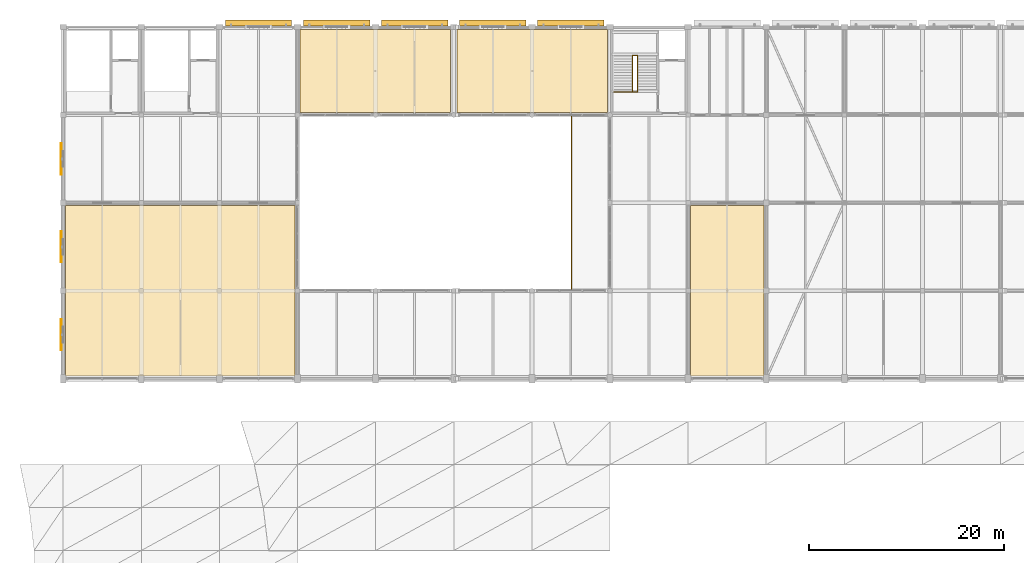
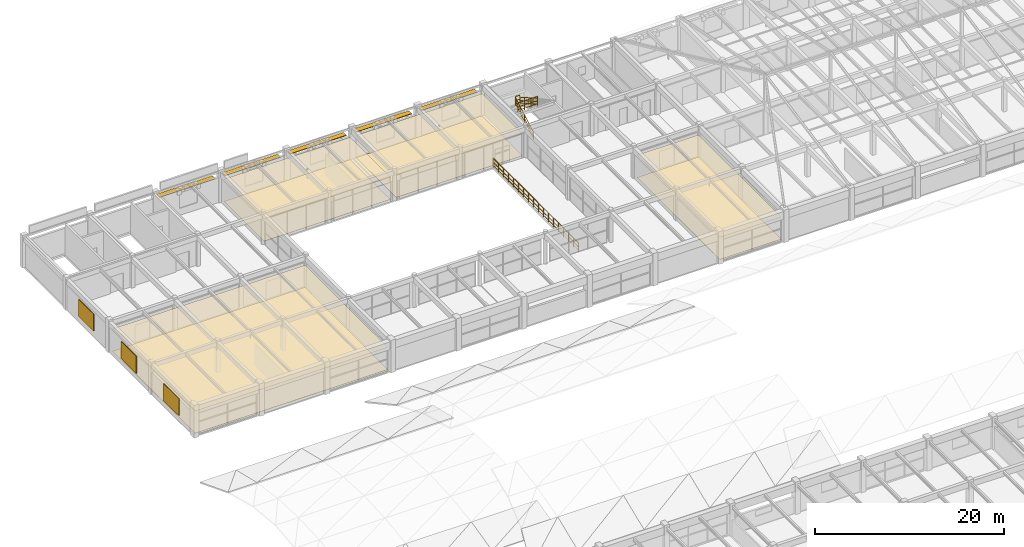
# One storey, part 124 of 126: 8 coverings, 8 shading devices, 5 railings.
"""IFC4 building model written with IfcOpenShell, lengths in metres."""

from ifc_helpers import new_model, si_unit, direction, frame, origin, origin_2d, place, context, subcontext, project, spatial, polyline, rectangle, circle, outline, extrude, material, layer, layer_set, type_object, element, save


model = new_model("IFC4")

# Units and contexts
model_context = context("Model", 3, precision=1e-05, world=origin(), true_north=direction((0.0, 1.0)))
body_context = subcontext(model_context, "Body", "Model", "MODEL_VIEW")
ifc_project = project(units=[si_unit("LENGTHUNIT", "METRE"), si_unit("AREAUNIT", "SQUARE_METRE"), si_unit("VOLUMEUNIT", "CUBIC_METRE"), si_unit("PLANEANGLEUNIT", "RADIAN"), si_unit("MASSUNIT", "GRAM", prefix="KILO")], contexts=[model_context])

# Site, building, storey
site_placement = place(None, origin())
site = spatial("IfcSite", under=ifc_project, at=site_placement, CompositionType="ELEMENT")
building_placement = place(site_placement, origin())
building = spatial("IfcBuilding", under=site, at=building_placement, Name="Varnabhumi Central Station", CompositionType="ELEMENT")
storey_placement = place(building_placement, frame((0.0, 0.0, 16.199951171875)))
storey = spatial("IfcBuildingStorey", under=building, at=storey_placement, Name="L03", CompositionType="ELEMENT", Elevation=16.199951171875)

# Coverings
ifc_material_1 = material(Name="Mineral-fibre acoustic tile")
ifc_layer_1 = layer(ifc_material_1, 0.02490234375, Name="Mineral-fibre acoustic tile")
ifc_layer_set_1 = layer_set([ifc_layer_1], Name="Mineral-fibre acoustic tile")
covering_type_1 = type_object("IfcCoveringType", Name="COV-CEIL-ACOUSTIC", PredefinedType="CEILING", material=ifc_layer_set_1)
covering_1_placement = place(storey_placement, frame((0.0, 0.0, 2.8701171875)))
element("IfcCovering", 1, at=covering_1_placement, inside=storey, type_object=covering_type_1, Name="Bengali and Continental Dining Gallery Acoustic Ceiling", PredefinedType="CEILING", context=body_context, shape_type="SweptSolid", body=[
    extrude(outline(polyline([(24.25, 80.25), (47.75, 80.25), (47.75, 97.75), (24.25, 97.75), (24.25, 80.25)])), origin(), (0.0, 0.0, 1.0), 0.02490234375),
])
covering_2_placement = place(storey_placement, frame((0.0, 0.0, 2.8701171875)))
element("IfcCovering", 2, at=covering_2_placement, inside=storey, type_object=covering_type_1, Name="Civic Railway Heritage and Community Hall Acoustic Ceiling", PredefinedType="CEILING", context=body_context, shape_type="SweptSolid", body=[
    extrude(outline(polyline([(48.25, 107.25), (63.64990234375, 107.25), (63.64990234375, 115.75), (48.25, 115.75), (48.25, 107.25)])), origin(), (0.0, 0.0, 1.0), 0.02490234375),
])
covering_3_placement = place(storey_placement, frame((0.0, 0.0, 2.8701171875)))
element("IfcCovering", 3, at=covering_3_placement, inside=storey, type_object=covering_type_1, Name="Civic Railway Heritage and Community Hall Acoustic Ceiling", PredefinedType="CEILING", context=body_context, shape_type="SweptSolid", body=[
    extrude(outline(polyline([(64.35009765625, 107.25), (79.75, 107.25), (79.75, 115.75), (64.35009765625, 115.75), (64.35009765625, 107.25)])), origin(), (0.0, 0.0, 1.0), 0.02490234375),
])
covering_4_placement = place(storey_placement, frame((0.0, 0.0, 2.8701171875)))
element("IfcCovering", 4, at=covering_4_placement, inside=storey, type_object=covering_type_1, Name="Artisan Exhibition Gallery Acoustic Ceiling", PredefinedType="CEILING", context=body_context, shape_type="SweptSolid", body=[
    extrude(outline(polyline([(88.25, 80.25), (95.75, 80.25), (95.75, 97.75), (88.25, 97.75), (88.25, 80.25)])), origin(), (0.0, 0.0, 1.0), 0.02490234375),
])
ifc_material_2 = material(Name="Vitrified granite stone flooring", Category="masonry")
ifc_layer_2 = layer(ifc_material_2, 0.030029296875, Name="Vitrified granite stone flooring", Category="masonry")
ifc_layer_set_2 = layer_set([ifc_layer_2], Name="Vitrified granite stone flooring")
covering_type_2 = type_object("IfcCoveringType", Name="COV-FLOR-GRANITE", PredefinedType="FLOORING", material=ifc_layer_set_2)
covering_5_placement = place(storey_placement, origin())
element("IfcCovering", 5, at=covering_5_placement, inside=storey, type_object=covering_type_2, Name="Bengali and Continental Dining Gallery Granite Flooring", PredefinedType="FLOORING", context=body_context, shape_type="SweptSolid", body=[
    extrude(outline(polyline([(24.25, 80.25), (47.75, 80.25), (47.75, 97.75), (24.25, 97.75), (24.25, 80.25)])), origin(), (0.0, 0.0, 1.0), 0.030029296875),
])
covering_6_placement = place(storey_placement, origin())
element("IfcCovering", 6, at=covering_6_placement, inside=storey, type_object=covering_type_2, Name="Civic Railway Heritage and Community Hall Granite Flooring", PredefinedType="FLOORING", context=body_context, shape_type="SweptSolid", body=[
    extrude(outline(polyline([(48.25, 107.25), (63.64990234375, 107.25), (63.64990234375, 115.75), (48.25, 115.75), (48.25, 107.25)])), origin(), (0.0, 0.0, 1.0), 0.030029296875),
])
covering_7_placement = place(storey_placement, origin())
element("IfcCovering", 7, at=covering_7_placement, inside=storey, type_object=covering_type_2, Name="Civic Railway Heritage and Community Hall Granite Flooring", PredefinedType="FLOORING", context=body_context, shape_type="SweptSolid", body=[
    extrude(outline(polyline([(64.35009765625, 107.25), (79.75, 107.25), (79.75, 115.75), (64.35009765625, 115.75), (64.35009765625, 107.25)])), origin(), (0.0, 0.0, 1.0), 0.030029296875),
])
covering_8_placement = place(storey_placement, origin())
element("IfcCovering", 8, at=covering_8_placement, inside=storey, type_object=covering_type_2, Name="Artisan Exhibition Gallery Granite Flooring", PredefinedType="FLOORING", context=body_context, shape_type="SweptSolid", body=[
    extrude(outline(polyline([(88.25, 80.25), (95.75, 80.25), (95.75, 97.75), (88.25, 97.75), (88.25, 80.25)])), origin(), (0.0, 0.0, 1.0), 0.030029296875),
])

# Railings
ifc_material_3 = material(Name="Stainless steel Grade 316", Category="steel")
railing_type_1 = type_object("IfcRailingType", Name="RAIL-BALUST-1150", PredefinedType="BALUSTRADE", material=ifc_material_3)
railing_1_placement = place(storey_placement, frame((76.080078125, 89.02001953125, 0.0)))
element("IfcRailing", 9, at=railing_1_placement, inside=storey, type_object=railing_type_1, Name="North Patio Courtyard Balustrade L03", PredefinedType="BALUSTRADE", context=body_context, shape_type="SweptSolid", body=[
    extrude(circle(Radius=0.02392578125, at=origin_2d()), frame((0.0, 0.0, 1.1259765625), z_axis=(0.0, 1.0, 0.0), x_axis=(-1.0, 0.0, 0.0)), (0.0, 0.0, 1.0), 17.9599609375),
    extrude(circle(Radius=0.01416015625, at=origin_2d()), frame((0.0, 0.0, 0.597900390625), z_axis=(0.0, 1.0, 0.0), x_axis=(-1.0, 0.0, 0.0)), (0.0, 0.0, 1.0), 17.9599609375),
    extrude(circle(Radius=0.01416015625, at=origin_2d()), frame((0.0, 0.0, 0.18408203125), z_axis=(0.0, 1.0, 0.0), x_axis=(-1.0, 0.0, 0.0)), (0.0, 0.0, 1.0), 17.9599609375),
    extrude(circle(Radius=0.02099609375, at=origin_2d()), origin(), (0.0, 0.0, 1.0), 1.101806640625),
    extrude(circle(Radius=0.02099609375, at=origin_2d()), frame((0.0, 1.056396484375, 0.0)), (0.0, 0.0, 1.0), 1.101806640625),
    extrude(circle(Radius=0.02099609375, at=origin_2d()), frame((0.0, 2.113037109375, 0.0)), (0.0, 0.0, 1.0), 1.101806640625),
    extrude(circle(Radius=0.02099609375, at=origin_2d()), frame((0.0, 3.16943359375, 0.0)), (0.0, 0.0, 1.0), 1.101806640625),
    extrude(circle(Radius=0.02099609375, at=origin_2d()), frame((0.0, 4.225830078125, 0.0)), (0.0, 0.0, 1.0), 1.101806640625),
    extrude(circle(Radius=0.02099609375, at=origin_2d()), frame((0.0, 5.2822265625, 0.0)), (0.0, 0.0, 1.0), 1.101806640625),
    extrude(circle(Radius=0.02099609375, at=origin_2d()), frame((0.0, 6.3388671875, 0.0)), (0.0, 0.0, 1.0), 1.101806640625),
    extrude(circle(Radius=0.02099609375, at=origin_2d()), frame((0.0, 7.395263671875, 0.0)), (0.0, 0.0, 1.0), 1.101806640625),
    extrude(circle(Radius=0.02099609375, at=origin_2d()), frame((0.0, 8.45166015625, 0.0)), (0.0, 0.0, 1.0), 1.101806640625),
    extrude(circle(Radius=0.02099609375, at=origin_2d()), frame((0.0, 9.50830078125, 0.0)), (0.0, 0.0, 1.0), 1.101806640625),
    extrude(circle(Radius=0.02099609375, at=origin_2d()), frame((0.0, 10.564697265625, 0.0)), (0.0, 0.0, 1.0), 1.101806640625),
    extrude(circle(Radius=0.02099609375, at=origin_2d()), frame((0.0, 11.62109375, 0.0)), (0.0, 0.0, 1.0), 1.101806640625),
    extrude(circle(Radius=0.02099609375, at=origin_2d()), frame((0.0, 12.677734375, 0.0)), (0.0, 0.0, 1.0), 1.101806640625),
    extrude(circle(Radius=0.02099609375, at=origin_2d()), frame((0.0, 13.734130859375, 0.0)), (0.0, 0.0, 1.0), 1.101806640625),
    extrude(circle(Radius=0.02099609375, at=origin_2d()), frame((0.0, 14.79052734375, 0.0)), (0.0, 0.0, 1.0), 1.101806640625),
    extrude(circle(Radius=0.02099609375, at=origin_2d()), frame((0.0, 15.846923828125, 0.0)), (0.0, 0.0, 1.0), 1.101806640625),
    extrude(circle(Radius=0.02099609375, at=origin_2d()), frame((0.0, 16.903564453125, 0.0)), (0.0, 0.0, 1.0), 1.101806640625),
    extrude(circle(Radius=0.02099609375, at=origin_2d()), frame((0.0, 17.9599609375, 0.0)), (0.0, 0.0, 1.0), 1.101806640625),
])
railing_type_2 = type_object("IfcRailingType", Name="RAIL-STAIR-GRD-1150", PredefinedType="GUARDRAIL", material=ifc_material_3)
railing_2_placement = place(storey_placement, frame((82.300048828125, 113.10498046875, 2.10009765625)))
element("IfcRailing", 10, at=railing_2_placement, inside=storey, type_object=railing_type_2, Name="ST-N2 L03 Half-Landing Well Guard", PredefinedType="GUARDRAIL", context=body_context, shape_type="SweptSolid", body=[
    extrude(circle(Radius=0.02392578125, at=origin_2d()), frame((0.0, 0.0, 1.1259765625), z_axis=(1.0, 0.0, 0.0), x_axis=(0.0, 1.0, 0.0)), (0.0, 0.0, 1.0), 0.5),
    extrude(circle(Radius=0.01416015625, at=origin_2d()), frame((0.0, 0.0, 0.597900390625), z_axis=(1.0, 0.0, 0.0), x_axis=(0.0, 1.0, 0.0)), (0.0, 0.0, 1.0), 0.5),
    extrude(circle(Radius=0.01416015625, at=origin_2d()), frame((0.0, 0.0, 0.18408203125), z_axis=(1.0, 0.0, 0.0), x_axis=(0.0, 1.0, 0.0)), (0.0, 0.0, 1.0), 0.5),
    extrude(circle(Radius=0.02099609375, at=origin_2d()), origin(), (0.0, 0.0, 1.0), 1.101806640625),
    extrude(circle(Radius=0.02099609375, at=origin_2d()), frame((0.5, 0.0, 0.0)), (0.0, 0.0, 1.0), 1.101806640625),
])
railing_3_placement = place(storey_placement, frame((80.39990234375, 109.360107421875, 4.199951171875)))
element("IfcRailing", 11, at=railing_3_placement, inside=storey, type_object=railing_type_2, Name="ST-N2 Top Well Guard", PredefinedType="GUARDRAIL", context=body_context, shape_type="SweptSolid", body=[
    extrude(circle(Radius=0.02392578125, at=origin_2d()), frame((0.0, 0.0, 1.1259765625), z_axis=(1.0, 0.0, 0.0), x_axis=(0.0, 1.0, 0.0)), (0.0, 0.0, 1.0), 2.400146484375),
    extrude(circle(Radius=0.01416015625, at=origin_2d()), frame((0.0, 0.0, 0.597900390625), z_axis=(1.0, 0.0, 0.0), x_axis=(0.0, 1.0, 0.0)), (0.0, 0.0, 1.0), 2.400146484375),
    extrude(circle(Radius=0.01416015625, at=origin_2d()), frame((0.0, 0.0, 0.18408203125), z_axis=(1.0, 0.0, 0.0), x_axis=(0.0, 1.0, 0.0)), (0.0, 0.0, 1.0), 2.400146484375),
    extrude(circle(Radius=0.02099609375, at=origin_2d()), origin(), (0.0, 0.0, 1.0), 1.101806640625),
    extrude(circle(Radius=0.02099609375, at=origin_2d()), frame((0.800048828125, 0.0, 0.0)), (0.0, 0.0, 1.0), 1.101806640625),
    extrude(circle(Radius=0.02099609375, at=origin_2d()), frame((1.60009765625, 0.0, 0.0)), (0.0, 0.0, 1.0), 1.101806640625),
    extrude(circle(Radius=0.02099609375, at=origin_2d()), frame((2.400146484375, 0.0, 0.0)), (0.0, 0.0, 1.0), 1.101806640625),
])
railing_type_3 = type_object("IfcRailingType", Name="RAIL-STAIR-HR-920", PredefinedType="HANDRAIL", material=ifc_material_3)
railing_4_placement = place(storey_placement, frame((82.300048828125, 109.340087890625, 0.0)))
element("IfcRailing", 12, at=railing_4_placement, inside=storey, type_object=railing_type_3, Name="ST-N2 L03 Flight 1 Handrail", PredefinedType="HANDRAIL", context=body_context, shape_type="SweptSolid", body=[
    extrude(circle(Radius=0.02392578125, at=origin_2d()), frame((0.0, 0.0, 0.89599609375), z_axis=(0.0, 0.869952506034, 0.493135516106), x_axis=(-1.0, 0.0, 0.0)), (0.0, 0.0, 1.0), 4.258544921875),
    extrude(circle(Radius=0.01416015625, at=origin_2d()), frame((0.0, 0.0, 0.478271484375), z_axis=(0.0, 0.869952506034, 0.493135516106), x_axis=(-1.0, 0.0, 0.0)), (0.0, 0.0, 1.0), 4.258544921875),
    extrude(circle(Radius=0.01416015625, at=origin_2d()), frame((0.0, 0.0, 0.147216796875), z_axis=(0.0, 0.869952506034, 0.493135516106), x_axis=(-1.0, 0.0, 0.0)), (0.0, 0.0, 1.0), 4.258544921875),
    extrude(circle(Radius=0.02099609375, at=origin_2d()), origin(), (0.0, 0.0, 1.0), 0.871826171875),
    extrude(circle(Radius=0.02099609375, at=origin_2d()), frame((0.0, 0.92626953125, 0.52490234375)), (0.0, 0.0, 1.0), 0.871826171875),
    extrude(circle(Radius=0.02099609375, at=origin_2d()), frame((0.0, 1.8525390625, 1.050048828125)), (0.0, 0.0, 1.0), 0.871826171875),
    extrude(circle(Radius=0.02099609375, at=origin_2d()), frame((0.0, 2.778564453125, 1.5751953125)), (0.0, 0.0, 1.0), 0.871826171875),
    extrude(circle(Radius=0.02099609375, at=origin_2d()), frame((0.0, 3.704833984375, 2.10009765625)), (0.0, 0.0, 1.0), 0.871826171875),
])
railing_5_placement = place(storey_placement, frame((82.800048828125, 113.044921875, 2.10009765625)))
element("IfcRailing", 13, at=railing_5_placement, inside=storey, type_object=railing_type_3, Name="ST-N2 L03 Flight 2 Handrail", PredefinedType="HANDRAIL", context=body_context, shape_type="SweptSolid", body=[
    extrude(circle(Radius=0.02392578125, at=origin_2d()), frame((0.0, 0.0, 0.89599609375), z_axis=(0.0, -0.869977099619, 0.493092127435), x_axis=(1.0, 0.0, 0.0)), (0.0, 0.0, 1.0), 4.258544921875),
    extrude(circle(Radius=0.01416015625, at=origin_2d()), frame((0.0, 0.0, 0.478271484375), z_axis=(0.0, -0.869977099619, 0.493092127435), x_axis=(1.0, 0.0, 0.0)), (0.0, 0.0, 1.0), 4.258544921875),
    extrude(circle(Radius=0.01416015625, at=origin_2d()), frame((0.0, 0.0, 0.147216796875), z_axis=(0.0, -0.869977099619, 0.493092127435), x_axis=(1.0, 0.0, 0.0)), (0.0, 0.0, 1.0), 4.258544921875),
    extrude(circle(Radius=0.02099609375, at=origin_2d()), origin(), (0.0, 0.0, 1.0), 0.871826171875),
    extrude(circle(Radius=0.02099609375, at=origin_2d()), frame((0.0, -0.92626953125, 0.52490234375)), (0.0, 0.0, 1.0), 0.871826171875),
    extrude(circle(Radius=0.02099609375, at=origin_2d()), frame((0.0, -1.8525390625, 1.0498046875)), (0.0, 0.0, 1.0), 0.871826171875),
    extrude(circle(Radius=0.02099609375, at=origin_2d()), frame((0.0, -2.778564453125, 1.574951171875)), (0.0, 0.0, 1.0), 0.871826171875),
    extrude(circle(Radius=0.02099609375, at=origin_2d()), frame((0.0, -3.704833984375, 2.099853515625)), (0.0, 0.0, 1.0), 0.871826171875),
])

# Shading devices
ifc_material_4 = material(Name="Terracotta clay Mission barrel tile", Category="masonry")
ifc_layer_3 = layer(ifc_material_4, 0.080078125, Name="Terracotta clay Mission barrel tile", Category="masonry")
ifc_layer_set_3 = layer_set([ifc_layer_3], Name="Terracotta clay Mission barrel tile")
shading_device_type_1 = type_object("IfcShadingDeviceType", Name="SHD-CELOSIA-JALI", PredefinedType="JALOUSIE", material=ifc_layer_set_3)
for number, where, z_axis, x_axis, name in (
    (14, (23.81005859375, 84.5, 0.85009765625), (0.0, 0.0, 1.0), (1.0, 0.0, 0.0), "Terracotta Celosia Screen N-L03-E1"),
    (15, (23.81005859375, 93.5, 0.85009765625), (0.0, 0.0, 1.0), (1.0, 0.0, 0.0), "Terracotta Celosia Screen N-L03-E2"),
    (16, (23.81005859375, 102.5, 0.85009765625), (0.0, 0.0, 1.0), (1.0, 0.0, 0.0), "Terracotta Celosia Screen N-L03-E3"),
):
    element("IfcShadingDevice", number, at=place(storey_placement, frame(where, z_axis=z_axis, x_axis=x_axis)), inside=storey, type_object=shading_device_type_1, Name=name, PredefinedType="JALOUSIE", context=body_context, shape_type="SweptSolid", body=[
        extrude(rectangle(XDim=0.080078125, YDim=3.199951171875, at=origin_2d()), origin(), (0.0, 0.0, 1.0), 2.199951171875),
    ])
ifc_material_5 = material(Name="Precast concrete M45", Category="concrete")
ifc_layer_4 = layer(ifc_material_5, 0.10009765625, Name="Precast concrete M45", Category="concrete")
ifc_layer_set_4 = layer_set([ifc_layer_4], Name="Precast concrete M45")
shading_device_type_2 = type_object("IfcShadingDeviceType", Name="SHD-CHAJJA-600", PredefinedType="AWNING", material=ifc_layer_set_4)
for number, where, z_axis, x_axis, name in (
    (17, (44.0, 116.429931640625, 2.919921875), (0.0, 0.0, 1.0), (1.0, 0.0, 0.0), "Chajja Overhang N-L03-3"),
    (18, (52.0, 116.429931640625, 2.919921875), (0.0, 0.0, 1.0), (1.0, 0.0, 0.0), "Chajja Overhang N-L03-4"),
    (19, (60.0, 116.429931640625, 2.919921875), (0.0, 0.0, 1.0), (1.0, 0.0, 0.0), "Chajja Overhang N-L03-5"),
    (20, (68.0, 116.429931640625, 2.919921875), (0.0, 0.0, 1.0), (1.0, 0.0, 0.0), "Chajja Overhang N-L03-6"),
    (21, (76.0, 116.429931640625, 2.919921875), (0.0, 0.0, 1.0), (1.0, 0.0, 0.0), "Chajja Overhang N-L03-7"),
):
    element("IfcShadingDevice", number, at=place(storey_placement, frame(where, z_axis=z_axis, x_axis=x_axis)), inside=storey, type_object=shading_device_type_2, Name=name, PredefinedType="AWNING", context=body_context, shape_type="SweptSolid", body=[
        extrude(rectangle(XDim=6.800048828125, YDim=0.60009765625, at=origin_2d()), origin(), (0.0, 0.0, 1.0), 0.10009765625),
    ])

save(model, "model.ifc")
